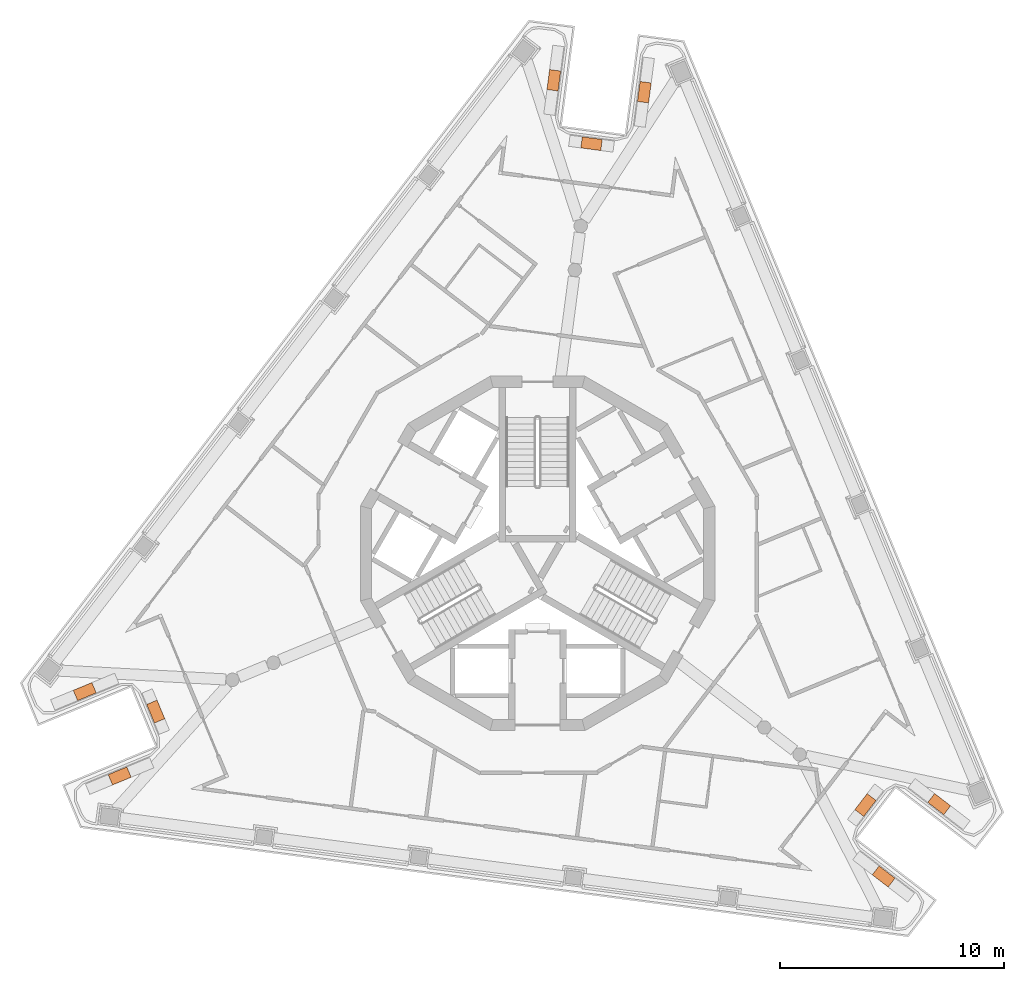
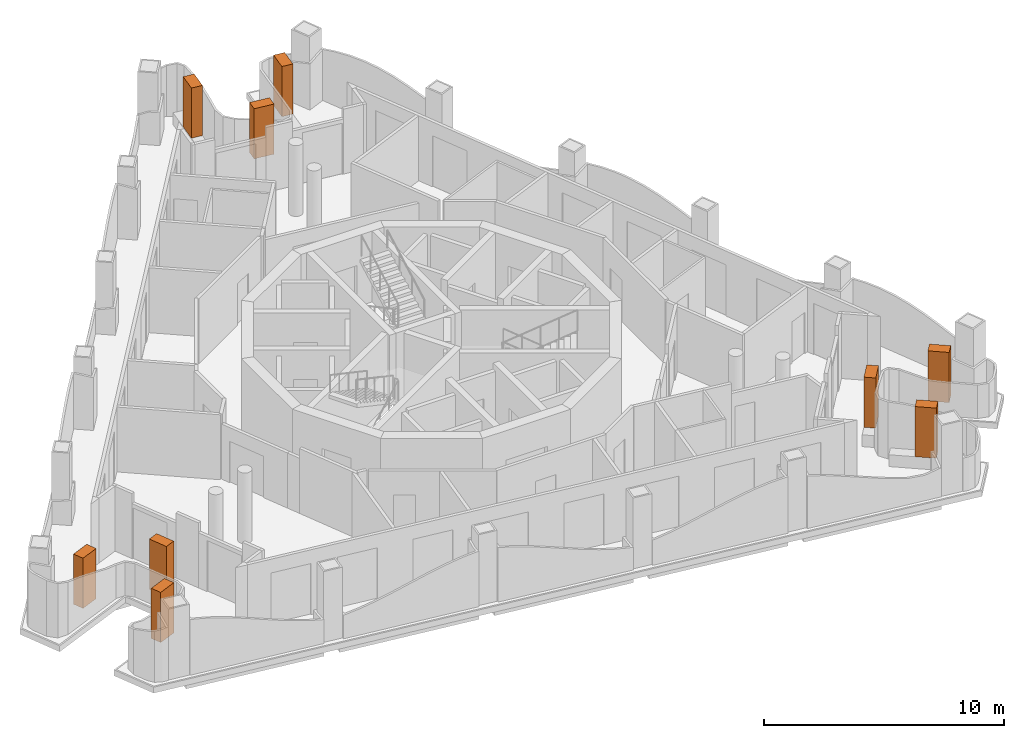
# One storey, part 12 of 12: 9 geographic elements.
"""IFC4 building model written with IfcOpenShell, lengths in metres."""

from ifc_helpers import new_model, si_unit, direction, frame, origin, origin_2d, place, context, subcontext, project, spatial, rectangle, extrude, element, save


model = new_model("IFC4")

# Units and contexts
model_context = context("Model", 3, precision=1e-05, world=origin(), true_north=direction((0.0, 1.0)))
body_context = subcontext(model_context, "Body", "Model", "MODEL_VIEW")
ifc_project = project(units=[si_unit("LENGTHUNIT", "METRE"), si_unit("AREAUNIT", "SQUARE_METRE"), si_unit("VOLUMEUNIT", "CUBIC_METRE"), si_unit("PLANEANGLEUNIT", "RADIAN"), si_unit("MASSUNIT", "GRAM", prefix="KILO")], contexts=[model_context])

# Site, building, storey
site_placement = place(None, origin())
site = spatial("IfcSite", under=ifc_project, at=site_placement, CompositionType="ELEMENT")
building_placement = place(site_placement, origin())
building = spatial("IfcBuilding", under=site, at=building_placement, Name="Trine Commons Tower", CompositionType="ELEMENT")
storey_placement = place(building_placement, frame((0.0, 0.0, 289.800048828125)))
storey = spatial("IfcBuildingStorey", under=building, at=storey_placement, Name="L76", CompositionType="ELEMENT", Elevation=289.800048828125)

# Geographic elements
for number, where, z_axis, x_axis, name in (
    (1, (61.31982421875, 52.554443359375, 0.60009765625), (0.0, 0.0, 1.0), (0.923885543575, 0.382668920052, 0.0), "Tree 1.1"),
    (2, (62.93212890625, 55.430419921875, 0.60009765625), (0.0, 0.0, 1.0), (-0.382688269782, 0.923877528773, 0.0), "Tree 2.1"),
    (3, (59.758544921875, 56.32373046875, 0.60009765625), (0.0, 0.0, 1.0), (-0.923885543575, -0.382668920052, 0.0), "Tree 3.1"),
    (4, (80.726806640625, 83.650146484375, 0.60009765625), (0.0, 0.0, 1.0), (-0.130514079426, -0.991446455978, 0.0), "Tree 4.1"),
    (5, (82.411376953125, 80.816162109375, 0.60009765625), (0.0, 0.0, 1.0), (0.991442583111, -0.130543496177, 0.0), "Tree 5.1"),
    (6, (84.77197265625, 83.11767578125, 0.60009765625), (0.0, 0.0, 1.0), (0.130517540226, 0.991446000392, 0.0), "Tree 6.1"),
    (7, (97.953125, 51.29541015625, 0.60009765625), (0.0, 0.0, 1.0), (-0.793348027815, 0.6087683523, 0.0), "Tree 7.1"),
    (8, (94.656494140625, 51.253662109375, 0.60009765625), (0.0, 0.0, 1.0), (-0.608764198331, -0.793351215308, 0.0), "Tree 8.1"),
    (9, (95.469482421875, 48.05859375, 0.60009765625), (0.0, 0.0, 1.0), (0.793348027815, -0.6087683523, 0.0), "Tree 9.1"),
):
    element("IfcGeographicElement", number, at=place(storey_placement, frame(where, z_axis=z_axis, x_axis=x_axis)), inside=storey, Name=name, ObjectType="TREE Tabebuia rosea", PredefinedType="USERDEFINED", context=body_context, shape_type="SweptSolid", body=[
        extrude(rectangle(XDim=0.89990234375, YDim=0.5, at=origin_2d()), origin(), (0.0, 0.0, 1.0), 2.550048828125),
    ])

save(model, "model.ifc")
